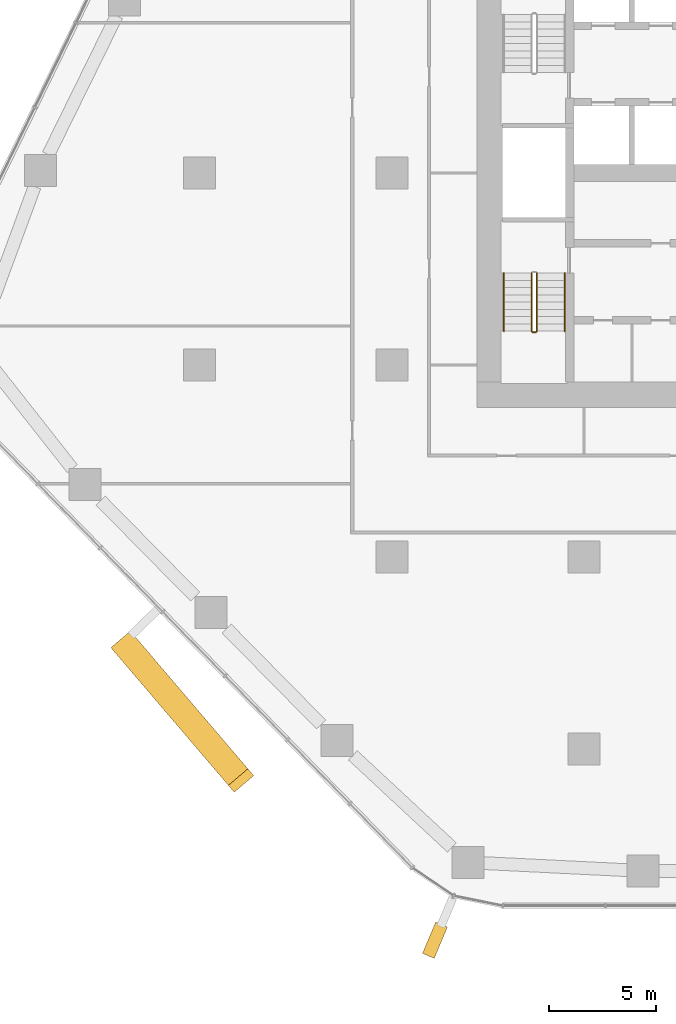
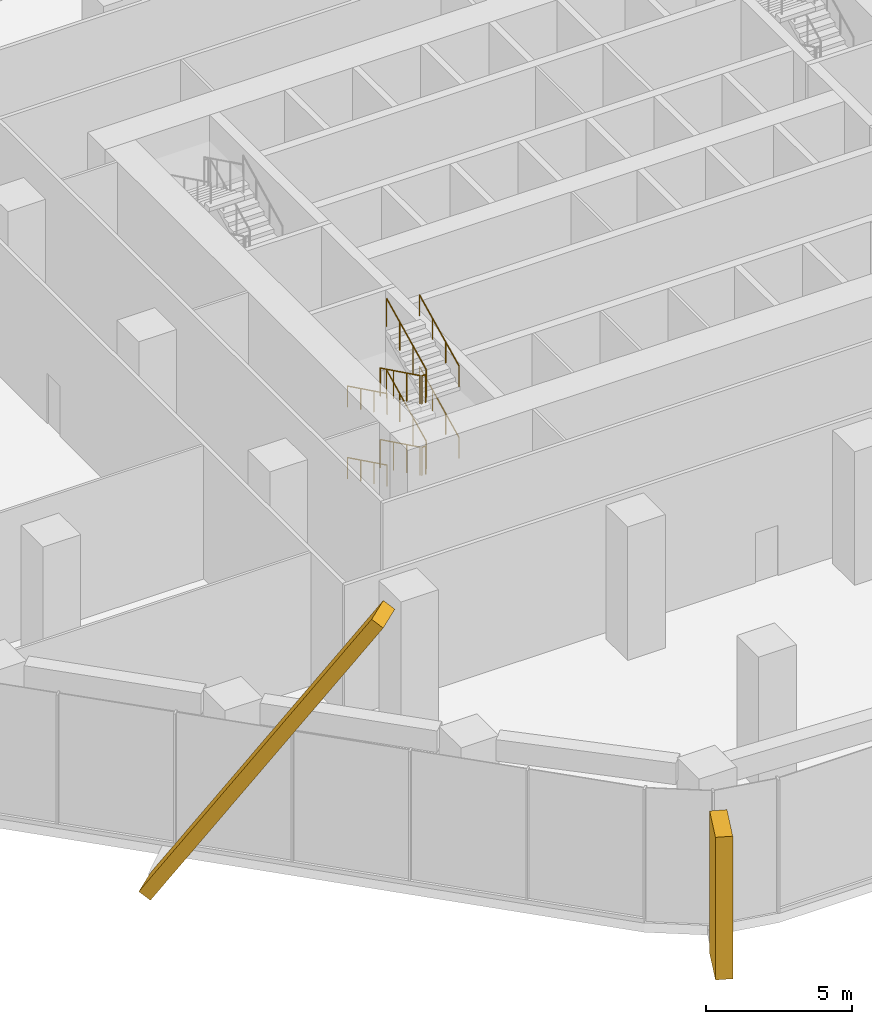
# One storey, part 15 of 19: 10 railings, 2 coverings, 2 elements without a shape of their own.
"""IFC4 building model written with IfcOpenShell, lengths in metres."""

from ifc_helpers import new_model, si_unit, direction, frame, origin, origin_2d, place, context, subcontext, project, spatial, rectangle, circle, extrude, material, layer, layer_set, material_profile, profile_set, type_object, element, aggregate, save


model = new_model("IFC4")

# Units and contexts
model_context = context("Model", 3, precision=1e-05, world=origin(), true_north=direction((0.0, 1.0)))
body_context = subcontext(model_context, "Body", "Model", "MODEL_VIEW")
ifc_project = project(units=[si_unit("LENGTHUNIT", "METRE"), si_unit("AREAUNIT", "SQUARE_METRE"), si_unit("VOLUMEUNIT", "CUBIC_METRE"), si_unit("PLANEANGLEUNIT", "RADIAN"), si_unit("MASSUNIT", "GRAM", prefix="KILO")], contexts=[model_context])

# Site, building, storey
site_placement = place(None, origin())
site = spatial("IfcSite", under=ifc_project, at=site_placement, CompositionType="ELEMENT")
building_placement = place(site_placement, origin())
building = spatial("IfcBuilding", under=site, at=building_placement, Name="Dongbaek Canopy Tower", CompositionType="ELEMENT")
storey_placement = place(building_placement, frame((0.0, 0.0, 38.0)))
storey = spatial("IfcBuildingStorey", under=building, at=storey_placement, Name="L05", CompositionType="ELEMENT", Elevation=38.0)

# Curtain wall, covering
ifc_material_1 = material(Name="Aluminium 6063-T6 pale anodised", Category="aluminium")
ifc_layer = layer(ifc_material_1, 0.25)
ifc_layer_set = layer_set([ifc_layer], Name="CW-4 sky-lobby curtain wall")
curtain_wall_type = type_object("IfcCurtainWallType", Name="CW-4 sky-lobby curtain wall", PredefinedType="NOTDEFINED", material=ifc_layer_set)
curtain_wall_1_placement = place(storey_placement, origin())
curtain_wall_1 = element("IfcCurtainWall", 1, at=curtain_wall_1_placement, inside=storey, type_object=curtain_wall_type, Name="CW-4 curtain wall K4.1", PredefinedType="NOTDEFINED")
ifc_material_2 = material(Name="Aluminium 6063-T6 pale metal fin", Category="aluminium")
ifc_material_profile_1 = material_profile(ifc_material_2, rectangle(XDim=1.60009765625, YDim=0.60009765625, at=origin_2d()), Name="Corner fin CN1 600 x 1600 pale metal")
ifc_profile_set_1 = profile_set([ifc_material_profile_1], Name="Aluminium 6063-T6 pale metal fin")
covering_type_1 = type_object("IfcCoveringType", Name="Corner fin CN1 600 x 1600 pale metal", PredefinedType="CLADDING", material=ifc_profile_set_1)
covering_1_placement = place(storey_placement, frame((-15.974609375, -35.9609375, -0.199951171875), z_axis=(0.0, 0.0, 1.0), x_axis=(-0.388229845925, -0.921562578848, 0.0)))
covering_1 = element("IfcCovering", 2, at=covering_1_placement, type_object=covering_type_1, Name="Corner fin L05 L05 K4", PredefinedType="CLADDING", context=body_context, shape_type="SweptSolid", body=[
    extrude(rectangle(XDim=1.60009765625, YDim=0.60009765625, at=origin_2d()), origin(), (0.0, 0.0, 1.0), 5.97998046875),
])
aggregate(curtain_wall_1, [covering_1])

curtain_wall_2_placement = place(storey_placement, origin())
curtain_wall_2 = element("IfcCurtainWall", 3, at=curtain_wall_2_placement, inside=storey, type_object=curtain_wall_type, Name="CW-4 curtain wall F3.1", PredefinedType="NOTDEFINED")
ifc_material_3 = material(Name="Aluminium 6063-T6 pale metal fin", Category="aluminium")
ifc_material_profile_2 = material_profile(ifc_material_3, rectangle(XDim=1.199951171875, YDim=0.5, at=origin_2d()), Name="Crease fin CF1 500 x 1200 pale metal")
ifc_profile_set_2 = profile_set([ifc_material_profile_2], Name="Aluminium 6063-T6 pale metal fin")
covering_type_2 = type_object("IfcCoveringType", Name="Crease fin CF1 500 x 1200 pale metal", PredefinedType="CLADDING", material=ifc_profile_set_2)
covering_2_placement = place(storey_placement, frame((-30.57177734375, -22.025634765625, -0.199951171875), z_axis=(0.347394115534, -0.406827325393, 0.844872094347), x_axis=(0.760469884273, 0.649373201721, 0.0)))
covering_2 = element("IfcCovering", 4, at=covering_2_placement, type_object=covering_type_2, Name="Crease fin L05 L08 F3", PredefinedType="CLADDING", context=body_context, shape_type="SweptSolid", body=[
    extrude(rectangle(XDim=1.199951171875, YDim=0.5, at=origin_2d()), origin(), (0.0, 0.0, 1.0), 15.8603515625),
])
aggregate(curtain_wall_2, [covering_2])

# Railings
ifc_material_4 = material(Name="Stainless steel tube and balusters", Category="steel")
railing_type_1 = type_object("IfcRailingType", Name="Stair guard 1200", PredefinedType="GUARDRAIL", material=ifc_material_4)
railing_1_placement = place(storey_placement, frame((-11.449951171875, -4.699951171875, 0.166748046875)))
element("IfcRailing", 5, at=railing_1_placement, inside=storey, type_object=railing_type_1, Name="L05 ST-D stair guard 1", PredefinedType="GUARDRAIL", context=body_context, shape_type="SweptSolid", body=[
    extrude(circle(Radius=0.02392578125, at=origin_2d()), frame((0.0, 0.0, 1.17578125), z_axis=(0.0, -0.897929466783, 0.4401393787), x_axis=(1.0, 0.0, 0.0)), (0.0, 0.0, 1.0), 3.029052734375),
    extrude(circle(Radius=0.02099609375, at=origin_2d()), origin(), (0.0, 0.0, 1.0), 1.15185546875),
    extrude(circle(Radius=0.02099609375, at=origin_2d()), frame((0.0, -0.90673828125, 0.4443359375)), (0.0, 0.0, 1.0), 1.15185546875),
    extrude(circle(Radius=0.02099609375, at=origin_2d()), frame((0.0, -1.813232421875, 0.888916015625)), (0.0, 0.0, 1.0), 1.15185546875),
    extrude(circle(Radius=0.02099609375, at=origin_2d()), frame((0.0, -2.719970703125, 1.333251953125)), (0.0, 0.0, 1.0), 1.15185546875),
])
railing_2_placement = place(storey_placement, frame((-11.39990234375, -7.469970703125, 1.5)))
element("IfcRailing", 6, at=railing_2_placement, inside=storey, type_object=railing_type_1, Name="L05 ST-D stair guard 2", PredefinedType="GUARDRAIL", context=body_context, shape_type="SweptSolid", body=[
    extrude(circle(Radius=0.02392578125, at=origin_2d()), frame((0.0, 0.0, 1.17578125), z_axis=(1.0, 0.0, 0.0), x_axis=(0.0, 1.0, 0.0)), (0.0, 0.0, 1.0), 0.14990234375),
    extrude(circle(Radius=0.02099609375, at=origin_2d()), origin(), (0.0, 0.0, 1.0), 1.15185546875),
    extrude(circle(Radius=0.02099609375, at=origin_2d()), frame((0.14990234375, 0.0, 0.0)), (0.0, 0.0, 1.0), 1.15185546875),
])
railing_3_placement = place(storey_placement, frame((-11.199951171875, -7.419921875, 1.666748046875)))
element("IfcRailing", 7, at=railing_3_placement, inside=storey, type_object=railing_type_1, Name="L05 ST-D stair guard 3", PredefinedType="GUARDRAIL", context=body_context, shape_type="SweptSolid", body=[
    extrude(circle(Radius=0.02392578125, at=origin_2d()), frame((0.0, 0.0, 1.17578125), z_axis=(0.0, 0.897929466783, 0.4401393787), x_axis=(-1.0, 0.0, 0.0)), (0.0, 0.0, 1.0), 3.029052734375),
    extrude(circle(Radius=0.02099609375, at=origin_2d()), origin(), (0.0, 0.0, 1.0), 1.15185546875),
    extrude(circle(Radius=0.02099609375, at=origin_2d()), frame((0.0, 0.90673828125, 0.4443359375)), (0.0, 0.0, 1.0), 1.15185546875),
    extrude(circle(Radius=0.02099609375, at=origin_2d()), frame((0.0, 1.813232421875, 0.888916015625)), (0.0, 0.0, 1.0), 1.15185546875),
    extrude(circle(Radius=0.02099609375, at=origin_2d()), frame((0.0, 2.719970703125, 1.333251953125)), (0.0, 0.0, 1.0), 1.15185546875),
])
railing_4_placement = place(storey_placement, frame((-11.449951171875, -4.699951171875, 3.166748046875)))
element("IfcRailing", 8, at=railing_4_placement, inside=storey, type_object=railing_type_1, Name="L05 ST-D stair guard 5", PredefinedType="GUARDRAIL", context=body_context, shape_type="SweptSolid", body=[
    extrude(circle(Radius=0.02392578125, at=origin_2d()), frame((0.0, 0.0, 1.17578125), z_axis=(0.0, -0.897929466783, 0.4401393787), x_axis=(1.0, 0.0, 0.0)), (0.0, 0.0, 1.0), 3.029052734375),
    extrude(circle(Radius=0.02099609375, at=origin_2d()), origin(), (0.0, 0.0, 1.0), 1.15185546875),
    extrude(circle(Radius=0.02099609375, at=origin_2d()), frame((0.0, -0.90673828125, 0.4443359375)), (0.0, 0.0, 1.0), 1.15185546875),
    extrude(circle(Radius=0.02099609375, at=origin_2d()), frame((0.0, -1.813232421875, 0.888916015625)), (0.0, 0.0, 1.0), 1.15185546875),
    extrude(circle(Radius=0.02099609375, at=origin_2d()), frame((0.0, -2.719970703125, 1.333251953125)), (0.0, 0.0, 1.0), 1.15185546875),
])
railing_5_placement = place(storey_placement, frame((-11.39990234375, -7.469970703125, 4.5)))
element("IfcRailing", 9, at=railing_5_placement, inside=storey, type_object=railing_type_1, Name="L05 ST-D stair guard 6", PredefinedType="GUARDRAIL", context=body_context, shape_type="SweptSolid", body=[
    extrude(circle(Radius=0.02392578125, at=origin_2d()), frame((0.0, 0.0, 1.17578125), z_axis=(1.0, 0.0, 0.0), x_axis=(0.0, 1.0, 0.0)), (0.0, 0.0, 1.0), 0.14990234375),
    extrude(circle(Radius=0.02099609375, at=origin_2d()), origin(), (0.0, 0.0, 1.0), 1.15185546875),
    extrude(circle(Radius=0.02099609375, at=origin_2d()), frame((0.14990234375, 0.0, 0.0)), (0.0, 0.0, 1.0), 1.15185546875),
])
railing_6_placement = place(storey_placement, frame((-11.199951171875, -7.419921875, 4.666748046875)))
element("IfcRailing", 10, at=railing_6_placement, inside=storey, type_object=railing_type_1, Name="L05 ST-D stair guard 7", PredefinedType="GUARDRAIL", context=body_context, shape_type="SweptSolid", body=[
    extrude(circle(Radius=0.02392578125, at=origin_2d()), frame((0.0, 0.0, 1.17578125), z_axis=(0.0, 0.897929466783, 0.4401393787), x_axis=(-1.0, 0.0, 0.0)), (0.0, 0.0, 1.0), 3.029052734375),
    extrude(circle(Radius=0.02099609375, at=origin_2d()), origin(), (0.0, 0.0, 1.0), 1.15185546875),
    extrude(circle(Radius=0.02099609375, at=origin_2d()), frame((0.0, 0.90673828125, 0.4443359375)), (0.0, 0.0, 1.0), 1.15185546875),
    extrude(circle(Radius=0.02099609375, at=origin_2d()), frame((0.0, 1.813232421875, 0.888916015625)), (0.0, 0.0, 1.0), 1.15185546875),
    extrude(circle(Radius=0.02099609375, at=origin_2d()), frame((0.0, 2.719970703125, 1.333251953125)), (0.0, 0.0, 1.0), 1.15185546875),
])
ifc_material_5 = material(Name="Stainless steel tube", Category="steel")
railing_type_2 = type_object("IfcRailingType", Name="Stair handrail 900", PredefinedType="HANDRAIL", material=ifc_material_5)
railing_7_placement = place(storey_placement, frame((-12.75, -4.699951171875, 0.166748046875)))
element("IfcRailing", 11, at=railing_7_placement, inside=storey, type_object=railing_type_2, Name="L05 ST-D stair handrail 1", PredefinedType="HANDRAIL", context=body_context, shape_type="SweptSolid", body=[
    extrude(circle(Radius=0.02392578125, at=origin_2d()), frame((0.0, 0.0, 0.8759765625), z_axis=(0.0, -0.897929466783, 0.4401393787), x_axis=(1.0, 0.0, 0.0)), (0.0, 0.0, 1.0), 3.029052734375),
    extrude(circle(Radius=0.02099609375, at=origin_2d()), origin(), (0.0, 0.0, 1.0), 0.851806640625),
    extrude(circle(Radius=0.02099609375, at=origin_2d()), frame((0.0, -0.90673828125, 0.4443359375)), (0.0, 0.0, 1.0), 0.851806640625),
    extrude(circle(Radius=0.02099609375, at=origin_2d()), frame((0.0, -1.813232421875, 0.888916015625)), (0.0, 0.0, 1.0), 0.851806640625),
    extrude(circle(Radius=0.02099609375, at=origin_2d()), frame((0.0, -2.719970703125, 1.333251953125)), (0.0, 0.0, 1.0), 0.851806640625),
])
railing_8_placement = place(storey_placement, frame((-9.89990234375, -7.419921875, 1.666748046875)))
element("IfcRailing", 12, at=railing_8_placement, inside=storey, type_object=railing_type_2, Name="L05 ST-D stair handrail 2", PredefinedType="HANDRAIL", context=body_context, shape_type="SweptSolid", body=[
    extrude(circle(Radius=0.02392578125, at=origin_2d()), frame((0.0, 0.0, 0.8759765625), z_axis=(0.0, 0.897929466783, 0.4401393787), x_axis=(-1.0, 0.0, 0.0)), (0.0, 0.0, 1.0), 3.029052734375),
    extrude(circle(Radius=0.02099609375, at=origin_2d()), origin(), (0.0, 0.0, 1.0), 0.851806640625),
    extrude(circle(Radius=0.02099609375, at=origin_2d()), frame((0.0, 0.90673828125, 0.4443359375)), (0.0, 0.0, 1.0), 0.851806640625),
    extrude(circle(Radius=0.02099609375, at=origin_2d()), frame((0.0, 1.813232421875, 0.888916015625)), (0.0, 0.0, 1.0), 0.851806640625),
    extrude(circle(Radius=0.02099609375, at=origin_2d()), frame((0.0, 2.719970703125, 1.333251953125)), (0.0, 0.0, 1.0), 0.851806640625),
])
railing_9_placement = place(storey_placement, frame((-12.75, -4.699951171875, 3.166748046875)))
element("IfcRailing", 13, at=railing_9_placement, inside=storey, type_object=railing_type_2, Name="L05 ST-D stair handrail 3", PredefinedType="HANDRAIL", context=body_context, shape_type="SweptSolid", body=[
    extrude(circle(Radius=0.02392578125, at=origin_2d()), frame((0.0, 0.0, 0.8759765625), z_axis=(0.0, -0.897929466783, 0.4401393787), x_axis=(1.0, 0.0, 0.0)), (0.0, 0.0, 1.0), 3.029052734375),
    extrude(circle(Radius=0.02099609375, at=origin_2d()), origin(), (0.0, 0.0, 1.0), 0.851806640625),
    extrude(circle(Radius=0.02099609375, at=origin_2d()), frame((0.0, -0.90673828125, 0.4443359375)), (0.0, 0.0, 1.0), 0.851806640625),
    extrude(circle(Radius=0.02099609375, at=origin_2d()), frame((0.0, -1.813232421875, 0.888916015625)), (0.0, 0.0, 1.0), 0.851806640625),
    extrude(circle(Radius=0.02099609375, at=origin_2d()), frame((0.0, -2.719970703125, 1.333251953125)), (0.0, 0.0, 1.0), 0.851806640625),
])
railing_10_placement = place(storey_placement, frame((-9.89990234375, -7.419921875, 4.666748046875)))
element("IfcRailing", 14, at=railing_10_placement, inside=storey, type_object=railing_type_2, Name="L05 ST-D stair handrail 4", PredefinedType="HANDRAIL", context=body_context, shape_type="SweptSolid", body=[
    extrude(circle(Radius=0.02392578125, at=origin_2d()), frame((0.0, 0.0, 0.8759765625), z_axis=(0.0, 0.897929466783, 0.4401393787), x_axis=(-1.0, 0.0, 0.0)), (0.0, 0.0, 1.0), 3.029052734375),
    extrude(circle(Radius=0.02099609375, at=origin_2d()), origin(), (0.0, 0.0, 1.0), 0.851806640625),
    extrude(circle(Radius=0.02099609375, at=origin_2d()), frame((0.0, 0.90673828125, 0.4443359375)), (0.0, 0.0, 1.0), 0.851806640625),
    extrude(circle(Radius=0.02099609375, at=origin_2d()), frame((0.0, 1.813232421875, 0.888916015625)), (0.0, 0.0, 1.0), 0.851806640625),
    extrude(circle(Radius=0.02099609375, at=origin_2d()), frame((0.0, 2.719970703125, 1.333251953125)), (0.0, 0.0, 1.0), 0.851806640625),
])

save(model, "model.ifc")
